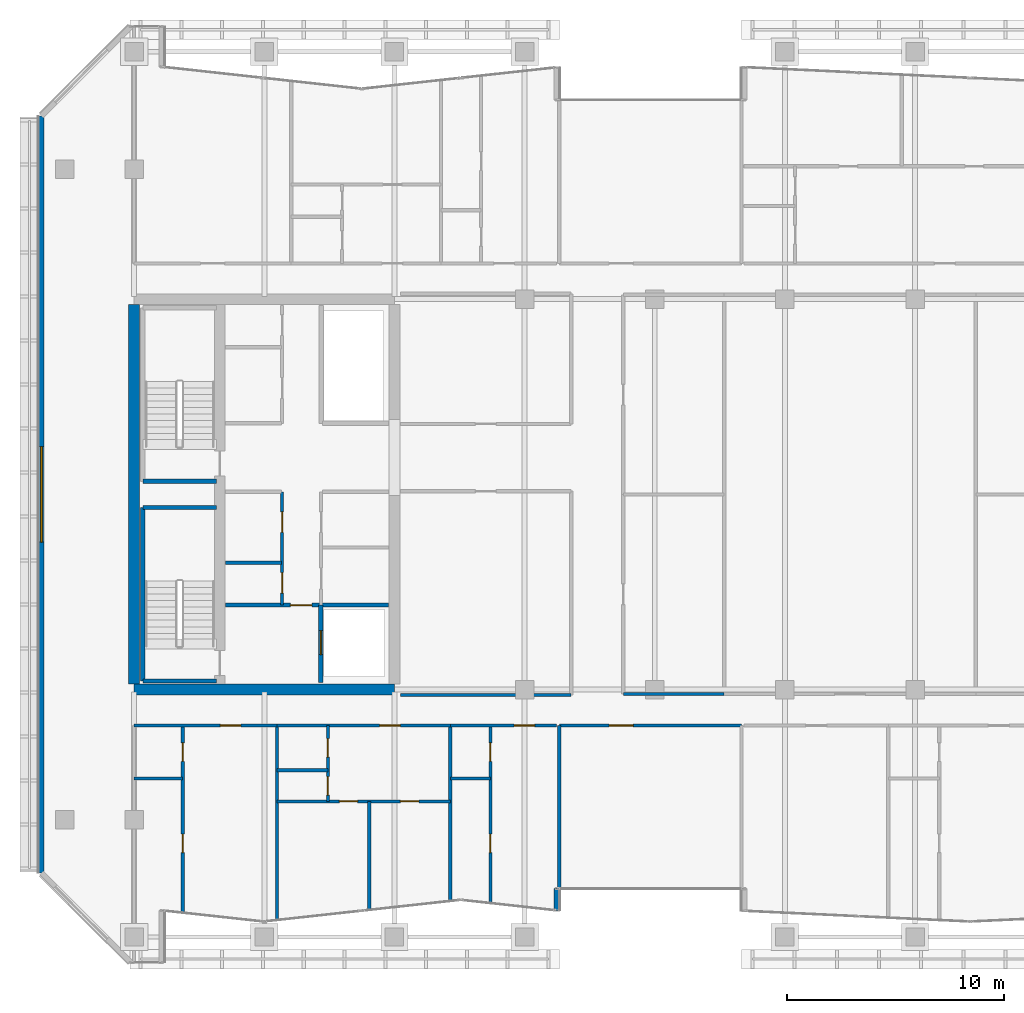
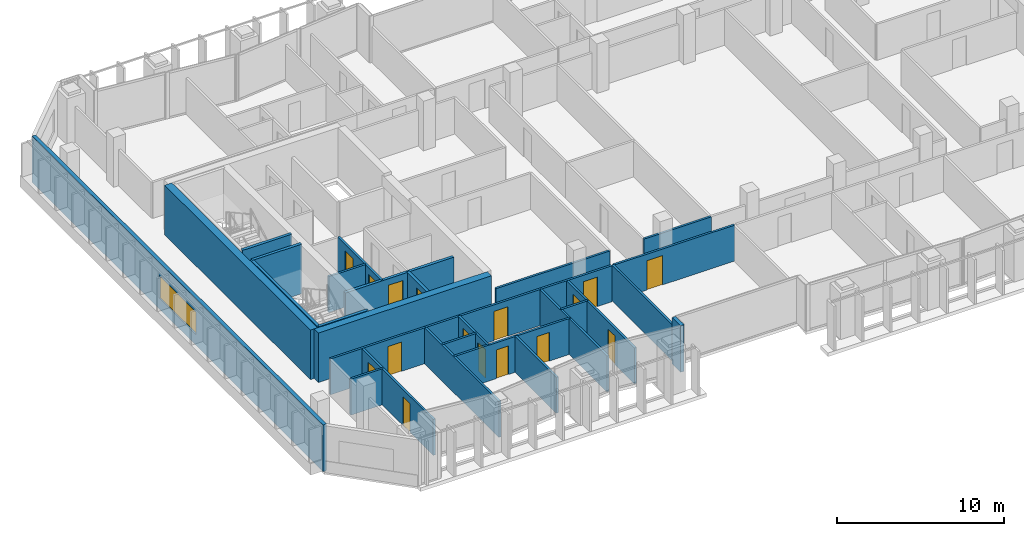
# One storey, part 19 of 29: 29 walls, 16 doors, 1 window, 17 openings.
"""IFC4 building model written with IfcOpenShell, lengths in metres."""

from ifc_helpers import new_model, si_unit, direction, frame, frame_2d, origin, place, context, subcontext, project, spatial, rectangle, extrude, material, layer, layer_set, type_object, element, fill, save


model = new_model("IFC4")

# Units and contexts
model_context = context("Model", 3, precision=1e-05, world=origin(), true_north=direction((0.0, 1.0)))
body_context = subcontext(model_context, "Body", "Model", "MODEL_VIEW")
ifc_project = project(units=[si_unit("LENGTHUNIT", "METRE"), si_unit("AREAUNIT", "SQUARE_METRE"), si_unit("VOLUMEUNIT", "CUBIC_METRE"), si_unit("PLANEANGLEUNIT", "RADIAN"), si_unit("MASSUNIT", "GRAM", prefix="KILO")], contexts=[model_context])

# Site, building, storey
site_placement = place(None, origin())
site = spatial("IfcSite", under=ifc_project, at=site_placement, CompositionType="ELEMENT")
building_placement = place(site_placement, origin())
building = spatial("IfcBuilding", under=site, at=building_placement, Name="Tanjung Sevakor Pilgrim Tower", CompositionType="ELEMENT")
storey_placement = place(building_placement, frame((0.0, 0.0, 162.030029296875)))
storey = spatial("IfcBuildingStorey", under=building, at=storey_placement, Name="L45", CompositionType="ELEMENT", Elevation=162.030029296875)

# Walls
ifc_material_1 = material(Name="Concrete C60/75", Category="concrete")
ifc_layer_1 = layer(ifc_material_1, 0.5)
ifc_layer_set_1 = layer_set([ifc_layer_1], Name="WALL-CW-500")
wall_type_1 = type_object("IfcWallType", Name="WALL-CW-500", PredefinedType="SHEAR", material=ifc_layer_set_1)
wall_1_placement = place(storey_placement, frame((24.0, 24.60009765625, 0.0), z_axis=(0.0, 0.0, 1.0), x_axis=(1.0, 0.0, 0.0)))
element("IfcWall", 1, at=wall_1_placement, inside=storey, type_object=wall_type_1, Name="L45 W Core South Shear Wall", PredefinedType="SHEAR", context=body_context, shape_type="SweptSolid", body=[
    extrude(rectangle(XDim=12.0, YDim=0.5, at=frame_2d((6.0, 0.0))), origin(), (0.0, 0.0, 1.0), 3.6298828125),
])
wall_2_placement = place(storey_placement, frame((24.0, 24.85009765625, 0.0), z_axis=(0.0, 0.0, 1.0), x_axis=(0.0, 1.0, 0.0)))
element("IfcWall", 2, at=wall_2_placement, inside=storey, type_object=wall_type_1, Name="L45 W Core Outer Shear Wall", PredefinedType="SHEAR", context=body_context, shape_type="SweptSolid", body=[
    extrude(rectangle(XDim=17.5, YDim=0.5, at=frame_2d((8.75, 0.0))), origin(), (0.0, 0.0, 1.0), 3.6298828125),
])
ifc_material_2 = material(Name="Concrete C40/50", Category="concrete")
ifc_layer_2 = layer(ifc_material_2, 0.14990234375)
ifc_layer_set_2 = layer_set([ifc_layer_2], Name="WT-COMP-150")
wall_type_2 = type_object("IfcWallType", Name="WT-COMP-150", PredefinedType="SOLIDWALL", material=ifc_layer_set_2)
wall_3_placement = place(storey_placement, frame((28.219970703125, 30.449951171875, 0.0), z_axis=(0.0, 0.0, 1.0), x_axis=(1.0, 0.0, 0.0)))
element("IfcWall", 3, at=wall_3_placement, inside=storey, type_object=wall_type_2, Name="L45 Partition IW-L45-003", PredefinedType="SOLIDWALL", context=body_context, shape_type="SweptSolid", body=[
    extrude(rectangle(XDim=2.580078125, YDim=0.14990234375, at=frame_2d((1.2900390625, 0.0))), origin(), (0.0, 0.0, 1.0), 2.6298828125),
])

# Wall, openings, doors
wall_4_placement = place(storey_placement, frame((30.820068359375, 28.5, 0.0), z_axis=(0.0, 0.0, 1.0), x_axis=(0.0, 1.0, 0.0)))
wall_4 = element("IfcWall", 4, at=wall_4_placement, inside=storey, type_object=wall_type_2, Name="L45 Partition IW-L45-005", PredefinedType="SOLIDWALL", context=body_context, shape_type="SweptSolid", body=[
    extrude(rectangle(XDim=5.219970703125, YDim=0.14990234375, at=frame_2d((2.60986328125, 0.0))), origin(), (0.0, 0.0, 1.0), 2.6298828125),
])
opening_1_placement = place(wall_4_placement, frame((0.550048828125, 0.0, 0.0)))
opening_1 = element("IfcOpeningElement", 5, at=opening_1_placement, cuts=wall_4, Name="Opening ID-FD2", PredefinedType="OPENING", context=body_context, shape_type="SweptSolid", body=[
    extrude(rectangle(XDim=0.949951171875, YDim=2.14990234375, at=frame_2d((0.47509765625, 1.074951171875))), frame((0.0, 0.0849609375, 0.0), z_axis=(0.0, -1.0, 0.0), x_axis=(1.0, 0.0, 0.0)), (0.0, 0.0, 1.0), 0.169921875),
])
opening_2_placement = place(wall_4_placement, frame((3.35009765625, 0.0, 0.0)))
opening_2 = element("IfcOpeningElement", 6, at=opening_2_placement, cuts=wall_4, Name="Opening ID-FD2", PredefinedType="OPENING", context=body_context, shape_type="SweptSolid", body=[
    extrude(rectangle(XDim=0.949951171875, YDim=2.14990234375, at=frame_2d((0.47509765625, 1.074951171875))), frame((0.0, 0.0849609375, 0.0), z_axis=(0.0, -1.0, 0.0), x_axis=(1.0, 0.0, 0.0)), (0.0, 0.0, 1.0), 0.169921875),
])
ifc_material_3 = material(Name="Fire-Rated Timber", Category="wood")
door_type_1 = type_object("IfcDoorType", Name="DT-FIRE-950", OperationType="NOTDEFINED", PredefinedType="DOOR", material=ifc_material_3)
door_1_placement = place(opening_1_placement, origin())
door_1 = element("IfcDoor", 7, at=door_1_placement, inside=storey, type_object=door_type_1, Name="L45 Cleaner Store Door", OperationType="SINGLE_SWING_LEFT", OverallHeight=2.14990234375, OverallWidth=0.949951171875, PredefinedType="DOOR", context=body_context, shape_type="SweptSolid", body=[
    extrude(rectangle(XDim=0.949951171875, YDim=2.14990234375, at=frame_2d((0.47509765625, 1.074951171875))), frame((0.0, 0.02490234375, 0.0), z_axis=(0.0, -1.0, 0.0), x_axis=(1.0, 0.0, 0.0)), (0.0, 0.0, 1.0), 0.050048828125),
])
fill(opening_1, door_1)
door_2_placement = place(opening_2_placement, origin())
door_2 = element("IfcDoor", 8, at=door_2_placement, inside=storey, type_object=door_type_1, Name="L45 Housekeeping Pantry Door", OperationType="SINGLE_SWING_RIGHT", OverallHeight=2.14990234375, OverallWidth=0.949951171875, PredefinedType="DOOR", context=body_context, shape_type="SweptSolid", body=[
    extrude(rectangle(XDim=0.949951171875, YDim=2.14990234375, at=frame_2d((0.47509765625, 1.074951171875))), frame((0.0, 0.02490234375, 0.0), z_axis=(0.0, -1.0, 0.0), x_axis=(1.0, 0.0, 0.0)), (0.0, 0.0, 1.0), 0.050048828125),
])
fill(opening_2, door_2)

# Walls
wall_5_placement = place(storey_placement, frame((36.27001953125, 24.35009765625, 0.0), z_axis=(0.0, 0.0, 1.0), x_axis=(1.0, 0.0, 0.0)))
element("IfcWall", 9, at=wall_5_placement, inside=storey, type_object=wall_type_2, Name="L45 Partition IW-L45-027", PredefinedType="SOLIDWALL", context=body_context, shape_type="SweptSolid", body=[
    extrude(rectangle(XDim=7.8798828125, YDim=0.14990234375, at=frame_2d((3.93994140625, 0.0))), origin(), (0.0, 0.0, 1.0), 2.6298828125),
])
wall_6_placement = place(storey_placement, frame((46.550048828125, 24.39990234375, 0.0), z_axis=(0.0, 0.0, 1.0), x_axis=(1.0, 0.0, 0.0)))
element("IfcWall", 10, at=wall_6_placement, inside=storey, type_object=wall_type_2, Name="L45 Partition IW-L45-039", PredefinedType="SOLIDWALL", context=body_context, shape_type="SweptSolid", body=[
    extrude(rectangle(XDim=4.64990234375, YDim=0.14990234375, at=frame_2d((2.324951171875, 0.0))), origin(), (0.0, 0.0, 1.0), 2.6298828125),
])

# Wall, opening, door
wall_7_placement = place(storey_placement, frame((43.60009765625, 22.949951171875, 0.0), z_axis=(0.0, 0.0, 1.0), x_axis=(1.0, 0.0, 0.0)))
wall_7 = element("IfcWall", 11, at=wall_7_placement, inside=storey, type_object=wall_type_2, Name="L45 Partition IW-L45-053", PredefinedType="SOLIDWALL", context=body_context, shape_type="SweptSolid", body=[
    extrude(rectangle(XDim=8.39990234375, YDim=0.14990234375, at=frame_2d((4.199951171875, 0.0))), origin(), (0.0, 0.0, 1.0), 2.6298828125),
])
opening_3_placement = place(wall_7_placement, frame((2.300048828125, 0.0, 0.0)))
opening_3 = element("IfcOpeningElement", 12, at=opening_3_placement, cuts=wall_7, Name="Opening ID-RM2", PredefinedType="OPENING", context=body_context, shape_type="SweptSolid", body=[
    extrude(rectangle(XDim=1.10009765625, YDim=2.14990234375, at=frame_2d((0.550048828125, 1.074951171875))), frame((0.0, 0.0849609375, 0.0), z_axis=(0.0, -1.0, 0.0), x_axis=(1.0, 0.0, 0.0)), (0.0, 0.0, 1.0), 0.169921875),
])
ifc_material_4 = material(Name="Hardwood Timber", Category="wood")
door_type_2 = type_object("IfcDoorType", Name="DT-INT-1100", OperationType="NOTDEFINED", PredefinedType="DOOR", material=ifc_material_4)
door_3_placement = place(opening_3_placement, origin())
door_3 = element("IfcDoor", 13, at=door_3_placement, inside=storey, type_object=door_type_2, Name="L45 South Cleft Communal Lounge Door", OperationType="SINGLE_SWING_RIGHT", OverallHeight=2.14990234375, OverallWidth=1.10009765625, PredefinedType="DOOR", context=body_context, shape_type="SweptSolid", body=[
    extrude(rectangle(XDim=1.10009765625, YDim=2.14990234375, at=frame_2d((0.550048828125, 1.074951171875))), frame((0.0, 0.02490234375, 0.0), z_axis=(0.0, -1.0, 0.0), x_axis=(1.0, 0.0, 0.0)), (0.0, 0.0, 1.0), 0.050048828125),
])
fill(opening_3, door_3)

# Walls
wall_8_placement = place(storey_placement, frame((43.60009765625, 15.425048828125, 0.0), z_axis=(0.0, 0.0, 1.0), x_axis=(0.0, 1.0, 0.0)))
element("IfcWall", 14, at=wall_8_placement, inside=storey, type_object=wall_type_2, Name="L45 Partition IW-L45-054", PredefinedType="SOLIDWALL", context=body_context, shape_type="SweptSolid", body=[
    extrude(rectangle(XDim=7.52490234375, YDim=0.14990234375, at=frame_2d((3.762451171875, 0.0))), origin(), (0.0, 0.0, 1.0), 2.6298828125),
])
wall_9_placement = place(storey_placement, frame((30.583984375, 13.9755859375, 0.0), z_axis=(0.0, 0.0, 1.0), x_axis=(0.0, 1.0, 0.0)))
element("IfcWall", 15, at=wall_9_placement, inside=storey, type_object=wall_type_2, Name="L45 Partition IW-L45-060", PredefinedType="SOLIDWALL", context=body_context, shape_type="SweptSolid", body=[
    extrude(rectangle(XDim=8.974365234375, YDim=0.14990234375, at=frame_2d((4.4873046875, 0.0))), origin(), (0.0, 0.0, 1.0), 2.6298828125),
])

# Wall, opening, door
wall_10_placement = place(storey_placement, frame((24.0, 22.949951171875, 0.0), z_axis=(0.0, 0.0, 1.0), x_axis=(1.0, 0.0, 0.0)))
wall_10 = element("IfcWall", 16, at=wall_10_placement, inside=storey, type_object=wall_type_2, Name="L45 Partition IW-L45-063", PredefinedType="SOLIDWALL", context=body_context, shape_type="SweptSolid", body=[
    extrude(rectangle(XDim=6.583984375, YDim=0.14990234375, at=frame_2d((3.2919921875, 0.0))), origin(), (0.0, 0.0, 1.0), 2.6298828125),
])
opening_4_placement = place(wall_10_placement, frame((3.976318359375, 0.0, 0.0)))
opening_4 = element("IfcOpeningElement", 17, at=opening_4_placement, cuts=wall_10, Name="Opening ID-FD2", PredefinedType="OPENING", context=body_context, shape_type="SweptSolid", body=[
    extrude(rectangle(XDim=0.949951171875, YDim=2.14990234375, at=frame_2d((0.47509765625, 1.074951171875))), frame((0.0, 0.0849609375, 0.0), z_axis=(0.0, -1.0, 0.0), x_axis=(1.0, 0.0, 0.0)), (0.0, 0.0, 1.0), 0.169921875),
])
door_4_placement = place(opening_4_placement, origin())
door_4 = element("IfcDoor", 18, at=door_4_placement, inside=storey, type_object=door_type_1, Name="Hostel Quad Entrance", OperationType="SINGLE_SWING_RIGHT", OverallHeight=2.14990234375, OverallWidth=0.949951171875, PredefinedType="DOOR", context=body_context, shape_type="SweptSolid", body=[
    extrude(rectangle(XDim=0.949951171875, YDim=2.14990234375, at=frame_2d((0.47509765625, 1.074951171875))), frame((0.0, 0.02490234375, 0.0), z_axis=(0.0, -1.0, 0.0), x_axis=(1.0, 0.0, 0.0)), (0.0, 0.0, 1.0), 0.050048828125),
])
fill(opening_4, door_4)

# Wall
wall_11_placement = place(storey_placement, frame((38.575927734375, 14.853759765625, 0.0), z_axis=(0.0, 0.0, 1.0), x_axis=(0.0, 1.0, 0.0)))
element("IfcWall", 19, at=wall_11_placement, inside=storey, type_object=wall_type_2, Name="L45 Partition IW-L45-064", PredefinedType="SOLIDWALL", context=body_context, shape_type="SweptSolid", body=[
    extrude(rectangle(XDim=8.09619140625, YDim=0.14990234375, at=frame_2d((4.048095703125, 0.0))), origin(), (0.0, 0.0, 1.0), 2.6298828125),
])

# Wall, opening, door
wall_12_placement = place(storey_placement, frame((30.583984375, 22.949951171875, 0.0), z_axis=(0.0, 0.0, 1.0), x_axis=(1.0, 0.0, 0.0)))
wall_12 = element("IfcWall", 20, at=wall_12_placement, inside=storey, type_object=wall_type_2, Name="L45 Partition IW-L45-069", PredefinedType="SOLIDWALL", context=body_context, shape_type="SweptSolid", body=[
    extrude(rectangle(XDim=7.991943359375, YDim=0.14990234375, at=frame_2d((3.99609375, 0.0))), origin(), (0.0, 0.0, 1.0), 2.6298828125),
])
opening_5_placement = place(wall_12_placement, frame((4.73583984375, 0.0, 0.0)))
opening_5 = element("IfcOpeningElement", 21, at=opening_5_placement, cuts=wall_12, Name="Opening ID-FD2", PredefinedType="OPENING", context=body_context, shape_type="SweptSolid", body=[
    extrude(rectangle(XDim=0.949951171875, YDim=2.14990234375, at=frame_2d((0.47509765625, 1.074951171875))), frame((0.0, 0.0849609375, 0.0), z_axis=(0.0, -1.0, 0.0), x_axis=(1.0, 0.0, 0.0)), (0.0, 0.0, 1.0), 0.169921875),
])
door_5_placement = place(opening_5_placement, origin())
door_5 = element("IfcDoor", 22, at=door_5_placement, inside=storey, type_object=door_type_1, Name="Suite Entrance", OperationType="SINGLE_SWING_LEFT", OverallHeight=2.14990234375, OverallWidth=0.949951171875, PredefinedType="DOOR", context=body_context, shape_type="SweptSolid", body=[
    extrude(rectangle(XDim=0.949951171875, YDim=2.14990234375, at=frame_2d((0.47509765625, 1.074951171875))), frame((0.0, 0.02490234375, 0.0), z_axis=(0.0, -1.0, 0.0), x_axis=(1.0, 0.0, 0.0)), (0.0, 0.0, 1.0), 0.050048828125),
])
fill(opening_5, door_5)

wall_13_placement = place(storey_placement, frame((38.575927734375, 22.949951171875, 0.0), z_axis=(0.0, 0.0, 1.0), x_axis=(1.0, 0.0, 0.0)))
wall_13 = element("IfcWall", 23, at=wall_13_placement, inside=storey, type_object=wall_type_2, Name="L45 Partition IW-L45-072", PredefinedType="SOLIDWALL", context=body_context, shape_type="SweptSolid", body=[
    extrude(rectangle(XDim=4.904052734375, YDim=0.14990234375, at=frame_2d((2.4521484375, 0.0))), origin(), (0.0, 0.0, 1.0), 2.6298828125),
])
opening_6_placement = place(wall_13_placement, frame((2.94189453125, 0.0, 0.0)))
opening_6 = element("IfcOpeningElement", 24, at=opening_6_placement, cuts=wall_13, Name="Opening ID-FD2", PredefinedType="OPENING", context=body_context, shape_type="SweptSolid", body=[
    extrude(rectangle(XDim=0.949951171875, YDim=2.14990234375, at=frame_2d((0.47509765625, 1.074951171875))), frame((0.0, 0.0849609375, 0.0), z_axis=(0.0, -1.0, 0.0), x_axis=(1.0, 0.0, 0.0)), (0.0, 0.0, 1.0), 0.169921875),
])
door_6_placement = place(opening_6_placement, origin())
door_6 = element("IfcDoor", 25, at=door_6_placement, inside=storey, type_object=door_type_1, Name="Hotel Guestroom Entrance", OperationType="SINGLE_SWING_RIGHT", OverallHeight=2.14990234375, OverallWidth=0.949951171875, PredefinedType="DOOR", context=body_context, shape_type="SweptSolid", body=[
    extrude(rectangle(XDim=0.949951171875, YDim=2.14990234375, at=frame_2d((0.47509765625, 1.074951171875))), frame((0.0, 0.02490234375, 0.0), z_axis=(0.0, -1.0, 0.0), x_axis=(1.0, 0.0, 0.0)), (0.0, 0.0, 1.0), 0.050048828125),
])
fill(opening_6, door_6)

# Wall
ifc_material_5 = material(Name="Precast concrete C45/55", Category="concrete")
ifc_layer_3 = layer(ifc_material_5, 0.25)
ifc_layer_set_3 = layer_set([ifc_layer_3], Name="WT-EW-STN3")
wall_type_3 = type_object("IfcWallType", Name="WT-EW-STN3", PredefinedType="SOLIDWALL", material=ifc_layer_set_3)
wall_14_placement = place(storey_placement, frame((43.47509765625, 14.41943359375, 0.0), z_axis=(0.0, 0.0, 1.0), x_axis=(0.0, 1.0, 0.0)))
element("IfcWall", 26, at=wall_14_placement, inside=storey, type_object=wall_type_3, Name="L45 MAIN Exterior Wall 7", PredefinedType="SOLIDWALL", context=body_context, shape_type="SweptSolid", body=[
    extrude(rectangle(XDim=1.005615234375, YDim=0.25, at=frame_2d((0.5029296875, 0.0))), origin(), (0.0, 0.0, 1.0), 3.409912109375),
])

# Wall, opening, window
wall_15_placement = place(storey_placement, frame((19.72509765625, 51.048095703125, 0.0), z_axis=(0.0, 0.0, 1.0), x_axis=(0.0, -1.0, 0.0)))
wall_15 = element("IfcWall", 27, at=wall_15_placement, inside=storey, type_object=wall_type_3, Name="L45 MAIN Exterior Wall 35", PredefinedType="SOLIDWALL", context=body_context, shape_type="SweptSolid", body=[
    extrude(rectangle(XDim=34.896240234375, YDim=0.25, at=frame_2d((17.4482421875, 0.0))), origin(), (0.0, 0.0, 1.0), 3.409912109375),
])
opening_7_placement = place(wall_15_placement, frame((15.248291015625, 0.0, 0.780029296875)))
opening_7 = element("IfcOpeningElement", 28, at=opening_7_placement, cuts=wall_15, Name="Opening WN-ENDW-1660", PredefinedType="OPENING", context=body_context, shape_type="SweptSolid", body=[
    extrude(rectangle(XDim=4.39990234375, YDim=1.659912109375, at=frame_2d((2.199951171875, 0.830078125))), frame((0.0, 0.135009765625, 0.0), z_axis=(0.0, -1.0, 0.0), x_axis=(1.0, 0.0, 0.0)), (0.0, 0.0, 1.0), 0.27001953125),
])
ifc_material_6 = material(Name="Thermally Broken Aluminium and Low-E Glass", Category="aluminium")
window_type = type_object("IfcWindowType", Name="WTYP-WN-ENDW-1660", PartitioningType="DOUBLE_PANEL_VERTICAL", PredefinedType="WINDOW", material=ifc_material_6)
window_placement = place(opening_7_placement, origin())
window = element("IfcWindow", 29, at=window_placement, inside=storey, type_object=window_type, Name="L45 Facade Window 01", OverallHeight=1.659912109375, OverallWidth=4.39990234375, PartitioningType="SINGLE_PANEL", PredefinedType="WINDOW", context=body_context, shape_type="SweptSolid", body=[
    extrude(rectangle(XDim=4.39990234375, YDim=1.659912109375, at=frame_2d((2.199951171875, 0.830078125))), frame((0.0, 0.030029296875, 0.0), z_axis=(0.0, -1.0, 0.0), x_axis=(1.0, 0.0, 0.0)), (0.0, 0.0, 1.0), 0.06005859375),
])
fill(opening_7, window)

# Walls
ifc_material_7 = material(Name="Concrete C40/50", Category="concrete")
ifc_layer_4 = layer(ifc_material_7, 0.199951171875)
ifc_layer_set_4 = layer_set([ifc_layer_4], Name="WT-FIRE-200")
wall_type_4 = type_object("IfcWallType", Name="WT-FIRE-200", PredefinedType="SOLIDWALL", material=ifc_layer_set_4)
for number, where, z_axis, x_axis, name in (
    (30, (24.39990234375, 25.0, 0.0), (0.0, 0.0, 1.0), (1.0, 0.0, 0.0), "L45 TS-W1 Shaft Wall 1"),
    (31, (27.800048828125, 33.0, 0.0), (0.0, 0.0, 1.0), (-1.0, 0.0, 0.0), "L45 TS-W1 Shaft Wall 2"),
):
    element("IfcWall", number, at=place(storey_placement, frame(where, z_axis=z_axis, x_axis=x_axis)), inside=storey, type_object=wall_type_4, Name=name, PredefinedType="SOLIDWALL", context=body_context, shape_type="SweptSolid", body=[
        extrude(rectangle(XDim=3.400146484375, YDim=0.199951171875, at=frame_2d((1.7001953125, 0.0))), origin(), (0.0, 0.0, 1.0), 3.6298828125),
    ])
wall_16_placement = place(storey_placement, frame((24.39990234375, 33.0, 0.0), z_axis=(0.0, 0.0, 1.0), x_axis=(0.0, -1.0, 0.0)))
element("IfcWall", 32, at=wall_16_placement, inside=storey, type_object=wall_type_4, Name="L45 TS-W1 Shaft Wall 3", PredefinedType="SOLIDWALL", context=body_context, shape_type="SweptSolid", body=[
    extrude(rectangle(XDim=8.0, YDim=0.199951171875, at=frame_2d((4.0, 0.0))), origin(), (0.0, 0.0, 1.0), 3.6298828125),
])
wall_17_placement = place(storey_placement, frame((24.39990234375, 34.199951171875, 0.0), z_axis=(0.0, 0.0, 1.0), x_axis=(1.0, 0.0, 0.0)))
element("IfcWall", 33, at=wall_17_placement, inside=storey, type_object=wall_type_4, Name="L45 TS-W2 Shaft Wall 1", PredefinedType="SOLIDWALL", context=body_context, shape_type="SweptSolid", body=[
    extrude(rectangle(XDim=3.400146484375, YDim=0.199951171875, at=frame_2d((1.7001953125, 0.0))), origin(), (0.0, 0.0, 1.0), 3.6298828125),
])

# Wall, opening, door
ifc_material_8 = material(Name="Concrete C40/50", Category="concrete")
ifc_layer_5 = layer(ifc_material_8, 0.199951171875)
ifc_layer_set_5 = layer_set([ifc_layer_5], Name="WT-FPRT-200")
wall_type_5 = type_object("IfcWallType", Name="WT-FPRT-200", PredefinedType="SOLIDWALL", material=ifc_layer_set_5)
wall_18_placement = place(storey_placement, frame((32.60009765625, 24.919921875, 0.0), z_axis=(0.0, 0.0, 1.0), x_axis=(0.0, 1.0, 0.0)))
wall_18 = element("IfcWall", 34, at=wall_18_placement, inside=storey, type_object=wall_type_5, Name="L45 Partition IW-L45-001", PredefinedType="SOLIDWALL", context=body_context, shape_type="SweptSolid", body=[
    extrude(rectangle(XDim=3.580078125, YDim=0.199951171875, at=frame_2d((1.7900390625, 0.0))), origin(), (0.0, 0.0, 1.0), 2.6298828125),
])
opening_8_placement = place(wall_18_placement, frame((1.300048828125, 0.0, 0.0)))
opening_8 = element("IfcOpeningElement", 35, at=opening_8_placement, cuts=wall_18, Name="Opening LD-1100", PredefinedType="OPENING", context=body_context, shape_type="SweptSolid", body=[
    extrude(rectangle(XDim=1.10009765625, YDim=2.199951171875, at=frame_2d((0.550048828125, 1.10009765625))), frame((0.0, 0.10986328125, 0.0), z_axis=(0.0, -1.0, 0.0), x_axis=(1.0, 0.0, 0.0)), (0.0, 0.0, 1.0), 0.219970703125),
])
ifc_material_9 = material(Name="Brushed Stainless Steel S355J2", Category="steel")
door_type_3 = type_object("IfcDoorType", Name="DT-LIFT-1100", OperationType="SLIDING_TO_LEFT", PredefinedType="DOOR", material=ifc_material_9)
door_7_placement = place(opening_8_placement, origin())
door_7 = element("IfcDoor", 36, at=door_7_placement, inside=storey, type_object=door_type_3, Name="LD-FL-W", OperationType="SLIDING_TO_LEFT", OverallHeight=2.199951171875, OverallWidth=1.10009765625, PredefinedType="DOOR", context=body_context, shape_type="SweptSolid", body=[
    extrude(rectangle(XDim=1.10009765625, YDim=2.199951171875, at=frame_2d((0.550048828125, 1.10009765625))), frame((0.0, 0.02490234375, 0.0), z_axis=(0.0, -1.0, 0.0), x_axis=(1.0, 0.0, 0.0)), (0.0, 0.0, 1.0), 0.050048828125),
])
fill(opening_8, door_7)

wall_19_placement = place(storey_placement, frame((28.219970703125, 28.5, 0.0), z_axis=(0.0, 0.0, 1.0), x_axis=(1.0, 0.0, 0.0)))
wall_19 = element("IfcWall", 37, at=wall_19_placement, inside=storey, type_object=wall_type_5, Name="L45 Partition IW-L45-002", PredefinedType="SOLIDWALL", context=body_context, shape_type="SweptSolid", body=[
    extrude(rectangle(XDim=7.510009765625, YDim=0.199951171875, at=frame_2d((3.7548828125, 0.0))), origin(), (0.0, 0.0, 1.0), 2.6298828125),
])
opening_9_placement = place(wall_19_placement, frame((2.97998046875, 0.0, 0.0)))
opening_9 = element("IfcOpeningElement", 38, at=opening_9_placement, cuts=wall_19, Name="Opening ID-FD1", PredefinedType="OPENING", context=body_context, shape_type="SweptSolid", body=[
    extrude(rectangle(XDim=1.0, YDim=2.14990234375, at=frame_2d((0.5, 1.074951171875))), frame((0.0, 0.10986328125, 0.0), z_axis=(0.0, -1.0, 0.0), x_axis=(1.0, 0.0, 0.0)), (0.0, 0.0, 1.0), 0.219970703125),
])
ifc_material_10 = material(Name="Fire-Rated Steel S355J2", Category="steel")
door_type_4 = type_object("IfcDoorType", Name="DT-FIRE-1000", OperationType="NOTDEFINED", PredefinedType="DOOR", material=ifc_material_10)
door_8_placement = place(opening_9_placement, origin())
door_8 = element("IfcDoor", 39, at=door_8_placement, inside=storey, type_object=door_type_4, Name="Fire Lobby Door W", OperationType="SINGLE_SWING_RIGHT", OverallHeight=2.14990234375, OverallWidth=1.0, PredefinedType="DOOR", context=body_context, shape_type="SweptSolid", body=[
    extrude(rectangle(XDim=1.0, YDim=2.14990234375, at=frame_2d((0.5, 1.074951171875))), frame((0.0, 0.02490234375, 0.0), z_axis=(0.0, -1.0, 0.0), x_axis=(1.0, 0.0, 0.0)), (0.0, 0.0, 1.0), 0.050048828125),
])
fill(opening_9, door_8)

# Wall
ifc_material_11 = material(Name="Gypsum Board Partition", Category="gypsum board")
ifc_layer_6 = layer(ifc_material_11, 0.14990234375)
ifc_layer_set_6 = layer_set([ifc_layer_6], Name="WT-PART-150")
wall_type_6 = type_object("IfcWallType", Name="WT-PART-150", PredefinedType="PARTITIONING", material=ifc_layer_set_6)
wall_20_placement = place(storey_placement, frame((24.0, 20.5, 0.0), z_axis=(0.0, 0.0, 1.0), x_axis=(1.0, 0.0, 0.0)))
element("IfcWall", 40, at=wall_20_placement, inside=storey, type_object=wall_type_6, Name="L45 Partition IW-L45-061", PredefinedType="PARTITIONING", context=body_context, shape_type="SweptSolid", body=[
    extrude(rectangle(XDim=2.238525390625, YDim=0.14990234375, at=frame_2d((1.119140625, 0.0))), origin(), (0.0, 0.0, 1.0), 2.6298828125),
])

# Wall, openings, doors
wall_21_placement = place(storey_placement, frame((26.238525390625, 14.313720703125, 0.0), z_axis=(0.0, 0.0, 1.0), x_axis=(0.0, 1.0, 0.0)))
wall_21 = element("IfcWall", 41, at=wall_21_placement, inside=storey, type_object=wall_type_6, Name="L45 Partition IW-L45-062", PredefinedType="PARTITIONING", context=body_context, shape_type="SweptSolid", body=[
    extrude(rectangle(XDim=8.63623046875, YDim=0.14990234375, at=frame_2d((4.318115234375, 0.0))), origin(), (0.0, 0.0, 1.0), 2.6298828125),
])
opening_10_placement = place(wall_21_placement, frame((2.7763671875, 0.0, 0.0)))
opening_10 = element("IfcOpeningElement", 42, at=opening_10_placement, cuts=wall_21, Name="Opening ID-WC1", PredefinedType="OPENING", context=body_context, shape_type="SweptSolid", body=[
    extrude(rectangle(XDim=0.85009765625, YDim=2.10009765625, at=frame_2d((0.425048828125, 1.050048828125))), frame((0.0, 0.0849609375, 0.0), z_axis=(0.0, -1.0, 0.0), x_axis=(1.0, 0.0, 0.0)), (0.0, 0.0, 1.0), 0.169921875),
])
opening_11_placement = place(wall_21_placement, frame((6.986328125, 0.0, 0.0)))
opening_11 = element("IfcOpeningElement", 43, at=opening_11_placement, cuts=wall_21, Name="Opening ID-WC1", PredefinedType="OPENING", context=body_context, shape_type="SweptSolid", body=[
    extrude(rectangle(XDim=0.85009765625, YDim=2.10009765625, at=frame_2d((0.425048828125, 1.050048828125))), frame((0.0, 0.0849609375, 0.0), z_axis=(0.0, -1.0, 0.0), x_axis=(1.0, 0.0, 0.0)), (0.0, 0.0, 1.0), 0.169921875),
])
ifc_material_12 = material(Name="Moisture-Resistant Timber", Category="wood")
door_type_5 = type_object("IfcDoorType", Name="DT-INT-850", OperationType="NOTDEFINED", PredefinedType="DOOR", material=ifc_material_12)
door_9_placement = place(opening_10_placement, origin())
door_9 = element("IfcDoor", 44, at=door_9_placement, inside=storey, type_object=door_type_5, Name="Study Nook Door", OperationType="SINGLE_SWING_RIGHT", OverallHeight=2.10009765625, OverallWidth=0.85009765625, PredefinedType="DOOR", context=body_context, shape_type="SweptSolid", body=[
    extrude(rectangle(XDim=0.85009765625, YDim=2.10009765625, at=frame_2d((0.425048828125, 1.050048828125))), frame((0.0, 0.02490234375, 0.0), z_axis=(0.0, -1.0, 0.0), x_axis=(1.0, 0.0, 0.0)), (0.0, 0.0, 1.0), 0.050048828125),
])
fill(opening_10, door_9)
door_10_placement = place(opening_11_placement, origin())
door_10 = element("IfcDoor", 45, at=door_10_placement, inside=storey, type_object=door_type_5, Name="Bathroom Door", OperationType="SINGLE_SWING_LEFT", OverallHeight=2.10009765625, OverallWidth=0.85009765625, PredefinedType="DOOR", context=body_context, shape_type="SweptSolid", body=[
    extrude(rectangle(XDim=0.85009765625, YDim=2.10009765625, at=frame_2d((0.425048828125, 1.050048828125))), frame((0.0, 0.02490234375, 0.0), z_axis=(0.0, -1.0, 0.0), x_axis=(1.0, 0.0, 0.0)), (0.0, 0.0, 1.0), 0.050048828125),
])
fill(opening_11, door_10)

# Wall
wall_22_placement = place(storey_placement, frame((30.583984375, 20.885009765625, 0.0), z_axis=(0.0, 0.0, 1.0), x_axis=(1.0, 0.0, 0.0)))
element("IfcWall", 46, at=wall_22_placement, inside=storey, type_object=wall_type_6, Name="L45 Partition IW-L45-065", PredefinedType="PARTITIONING", context=body_context, shape_type="SweptSolid", body=[
    extrude(rectangle(XDim=2.35009765625, YDim=0.14990234375, at=frame_2d((1.175048828125, 0.0))), origin(), (0.0, 0.0, 1.0), 2.6298828125),
])

# Wall, openings, doors
wall_23_placement = place(storey_placement, frame((32.93408203125, 19.449951171875, 0.0), z_axis=(0.0, 0.0, 1.0), x_axis=(0.0, 1.0, 0.0)))
wall_23 = element("IfcWall", 47, at=wall_23_placement, inside=storey, type_object=wall_type_6, Name="L45 Partition IW-L45-066", PredefinedType="PARTITIONING", context=body_context, shape_type="SweptSolid", body=[
    extrude(rectangle(XDim=3.5, YDim=0.14990234375, at=frame_2d((1.75, 0.0))), origin(), (0.0, 0.0, 1.0), 2.6298828125),
])
opening_12_placement = place(wall_23_placement, frame((0.29248046875, 0.0, 0.0)))
opening_12 = element("IfcOpeningElement", 48, at=opening_12_placement, cuts=wall_23, Name="Opening ID-WC1", PredefinedType="OPENING", context=body_context, shape_type="SweptSolid", body=[
    extrude(rectangle(XDim=0.85009765625, YDim=2.10009765625, at=frame_2d((0.425048828125, 1.050048828125))), frame((0.0, 0.0849609375, 0.0), z_axis=(0.0, -1.0, 0.0), x_axis=(1.0, 0.0, 0.0)), (0.0, 0.0, 1.0), 0.169921875),
])
opening_13_placement = place(wall_23_placement, frame((2.04248046875, 0.0, 0.0)))
opening_13 = element("IfcOpeningElement", 49, at=opening_13_placement, cuts=wall_23, Name="Opening ID-WC1", PredefinedType="OPENING", context=body_context, shape_type="SweptSolid", body=[
    extrude(rectangle(XDim=0.85009765625, YDim=2.10009765625, at=frame_2d((0.425048828125, 1.050048828125))), frame((0.0, 0.0849609375, 0.0), z_axis=(0.0, -1.0, 0.0), x_axis=(1.0, 0.0, 0.0)), (0.0, 0.0, 1.0), 0.169921875),
])
door_11_placement = place(opening_12_placement, origin())
door_11 = element("IfcDoor", 50, at=door_11_placement, inside=storey, type_object=door_type_5, Name="Suite Bathroom Door", OperationType="SINGLE_SWING_LEFT", OverallHeight=2.10009765625, OverallWidth=0.85009765625, PredefinedType="DOOR", context=body_context, shape_type="SweptSolid", body=[
    extrude(rectangle(XDim=0.85009765625, YDim=2.10009765625, at=frame_2d((0.425048828125, 1.050048828125))), frame((0.0, 0.02490234375, 0.0), z_axis=(0.0, -1.0, 0.0), x_axis=(1.0, 0.0, 0.0)), (0.0, 0.0, 1.0), 0.050048828125),
])
fill(opening_12, door_11)
door_12_placement = place(opening_13_placement, origin())
door_12 = element("IfcDoor", 51, at=door_12_placement, inside=storey, type_object=door_type_5, Name="Suite Kitchenette Door", OperationType="SINGLE_SWING_RIGHT", OverallHeight=2.10009765625, OverallWidth=0.85009765625, PredefinedType="DOOR", context=body_context, shape_type="SweptSolid", body=[
    extrude(rectangle(XDim=0.85009765625, YDim=2.10009765625, at=frame_2d((0.425048828125, 1.050048828125))), frame((0.0, 0.02490234375, 0.0), z_axis=(0.0, -1.0, 0.0), x_axis=(1.0, 0.0, 0.0)), (0.0, 0.0, 1.0), 0.050048828125),
])
fill(opening_13, door_12)

# Wall
wall_24_placement = place(storey_placement, frame((34.833984375, 14.4423828125, 0.0), z_axis=(0.0, 0.0, 1.0), x_axis=(0.0, 1.0, 0.0)))
element("IfcWall", 52, at=wall_24_placement, inside=storey, type_object=wall_type_6, Name="L45 Partition IW-L45-067", PredefinedType="PARTITIONING", context=body_context, shape_type="SweptSolid", body=[
    extrude(rectangle(XDim=5.007568359375, YDim=0.14990234375, at=frame_2d((2.50390625, 0.0))), origin(), (0.0, 0.0, 1.0), 2.6298828125),
])

# Wall, openings, doors
wall_25_placement = place(storey_placement, frame((30.583984375, 19.449951171875, 0.0), z_axis=(0.0, 0.0, 1.0), x_axis=(1.0, 0.0, 0.0)))
wall_25 = element("IfcWall", 53, at=wall_25_placement, inside=storey, type_object=wall_type_6, Name="L45 Partition IW-L45-068", PredefinedType="PARTITIONING", context=body_context, shape_type="SweptSolid", body=[
    extrude(rectangle(XDim=7.991943359375, YDim=0.14990234375, at=frame_2d((3.99609375, 0.0))), origin(), (0.0, 0.0, 1.0), 2.6298828125),
])
opening_14_placement = place(wall_25_placement, frame((2.875, 0.0, 0.0)))
opening_14 = element("IfcOpeningElement", 54, at=opening_14_placement, cuts=wall_25, Name="Opening ID-WC1", PredefinedType="OPENING", context=body_context, shape_type="SweptSolid", body=[
    extrude(rectangle(XDim=0.85009765625, YDim=2.10009765625, at=frame_2d((0.425048828125, 1.050048828125))), frame((0.0, 0.0849609375, 0.0), z_axis=(0.0, -1.0, 0.0), x_axis=(1.0, 0.0, 0.0)), (0.0, 0.0, 1.0), 0.169921875),
])
opening_15_placement = place(wall_25_placement, frame((5.69580078125, 0.0, 0.0)))
opening_15 = element("IfcOpeningElement", 55, at=opening_15_placement, cuts=wall_25, Name="Opening ID-WC1", PredefinedType="OPENING", context=body_context, shape_type="SweptSolid", body=[
    extrude(rectangle(XDim=0.85009765625, YDim=2.10009765625, at=frame_2d((0.425048828125, 1.050048828125))), frame((0.0, 0.0849609375, 0.0), z_axis=(0.0, -1.0, 0.0), x_axis=(1.0, 0.0, 0.0)), (0.0, 0.0, 1.0), 0.169921875),
])
door_13_placement = place(opening_14_placement, origin())
door_13 = element("IfcDoor", 56, at=door_13_placement, inside=storey, type_object=door_type_5, Name="Suite Bedroom 1 Door", OperationType="SINGLE_SWING_LEFT", OverallHeight=2.10009765625, OverallWidth=0.85009765625, PredefinedType="DOOR", context=body_context, shape_type="SweptSolid", body=[
    extrude(rectangle(XDim=0.85009765625, YDim=2.10009765625, at=frame_2d((0.425048828125, 1.050048828125))), frame((0.0, 0.02490234375, 0.0), z_axis=(0.0, -1.0, 0.0), x_axis=(1.0, 0.0, 0.0)), (0.0, 0.0, 1.0), 0.050048828125),
])
fill(opening_14, door_13)
door_14_placement = place(opening_15_placement, origin())
door_14 = element("IfcDoor", 57, at=door_14_placement, inside=storey, type_object=door_type_5, Name="Suite Bedroom 2 Door", OperationType="SINGLE_SWING_RIGHT", OverallHeight=2.10009765625, OverallWidth=0.85009765625, PredefinedType="DOOR", context=body_context, shape_type="SweptSolid", body=[
    extrude(rectangle(XDim=0.85009765625, YDim=2.10009765625, at=frame_2d((0.425048828125, 1.050048828125))), frame((0.0, 0.02490234375, 0.0), z_axis=(0.0, -1.0, 0.0), x_axis=(1.0, 0.0, 0.0)), (0.0, 0.0, 1.0), 0.050048828125),
])
fill(opening_15, door_14)

# Wall
wall_26_placement = place(storey_placement, frame((38.575927734375, 20.5, 0.0), z_axis=(0.0, 0.0, 1.0), x_axis=(1.0, 0.0, 0.0)))
element("IfcWall", 58, at=wall_26_placement, inside=storey, type_object=wall_type_6, Name="L45 Partition IW-L45-070", PredefinedType="PARTITIONING", context=body_context, shape_type="SweptSolid", body=[
    extrude(rectangle(XDim=1.849853515625, YDim=0.14990234375, at=frame_2d((0.9248046875, 0.0))), origin(), (0.0, 0.0, 1.0), 2.6298828125),
])

# Wall, openings, doors
wall_27_placement = place(storey_placement, frame((40.42578125, 14.754638671875, 0.0), z_axis=(0.0, 0.0, 1.0), x_axis=(0.0, 1.0, 0.0)))
wall_27 = element("IfcWall", 59, at=wall_27_placement, inside=storey, type_object=wall_type_6, Name="L45 Partition IW-L45-071", PredefinedType="PARTITIONING", context=body_context, shape_type="SweptSolid", body=[
    extrude(rectangle(XDim=8.1953125, YDim=0.14990234375, at=frame_2d((4.09765625, 0.0))), origin(), (0.0, 0.0, 1.0), 2.6298828125),
])
opening_16_placement = place(wall_27_placement, frame((2.33544921875, 0.0, 0.0)))
opening_16 = element("IfcOpeningElement", 60, at=opening_16_placement, cuts=wall_27, Name="Opening ID-WC1", PredefinedType="OPENING", context=body_context, shape_type="SweptSolid", body=[
    extrude(rectangle(XDim=0.85009765625, YDim=2.10009765625, at=frame_2d((0.425048828125, 1.050048828125))), frame((0.0, 0.0849609375, 0.0), z_axis=(0.0, -1.0, 0.0), x_axis=(1.0, 0.0, 0.0)), (0.0, 0.0, 1.0), 0.169921875),
])
opening_17_placement = place(wall_27_placement, frame((6.54541015625, 0.0, 0.0)))
opening_17 = element("IfcOpeningElement", 61, at=opening_17_placement, cuts=wall_27, Name="Opening ID-WC1", PredefinedType="OPENING", context=body_context, shape_type="SweptSolid", body=[
    extrude(rectangle(XDim=0.85009765625, YDim=2.10009765625, at=frame_2d((0.425048828125, 1.050048828125))), frame((0.0, 0.0849609375, 0.0), z_axis=(0.0, -1.0, 0.0), x_axis=(1.0, 0.0, 0.0)), (0.0, 0.0, 1.0), 0.169921875),
])
door_15_placement = place(opening_16_placement, origin())
door_15 = element("IfcDoor", 62, at=door_15_placement, inside=storey, type_object=door_type_5, Name="Study Nook Door", OperationType="SINGLE_SWING_RIGHT", OverallHeight=2.10009765625, OverallWidth=0.85009765625, PredefinedType="DOOR", context=body_context, shape_type="SweptSolid", body=[
    extrude(rectangle(XDim=0.85009765625, YDim=2.10009765625, at=frame_2d((0.425048828125, 1.050048828125))), frame((0.0, 0.02490234375, 0.0), z_axis=(0.0, -1.0, 0.0), x_axis=(1.0, 0.0, 0.0)), (0.0, 0.0, 1.0), 0.050048828125),
])
fill(opening_16, door_15)
door_16_placement = place(opening_17_placement, origin())
door_16 = element("IfcDoor", 63, at=door_16_placement, inside=storey, type_object=door_type_5, Name="Bathroom Door", OperationType="SINGLE_SWING_LEFT", OverallHeight=2.10009765625, OverallWidth=0.85009765625, PredefinedType="DOOR", context=body_context, shape_type="SweptSolid", body=[
    extrude(rectangle(XDim=0.85009765625, YDim=2.10009765625, at=frame_2d((0.425048828125, 1.050048828125))), frame((0.0, 0.02490234375, 0.0), z_axis=(0.0, -1.0, 0.0), x_axis=(1.0, 0.0, 0.0)), (0.0, 0.0, 1.0), 0.050048828125),
])
fill(opening_17, door_16)

save(model, "model.ifc")
